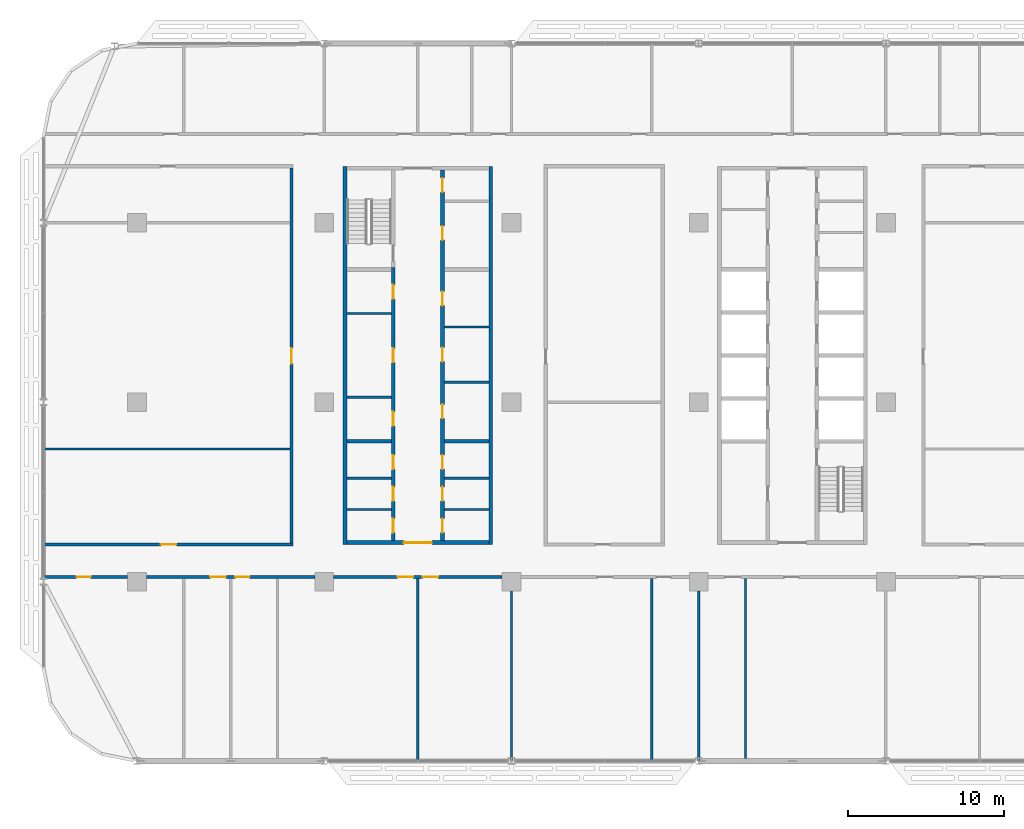
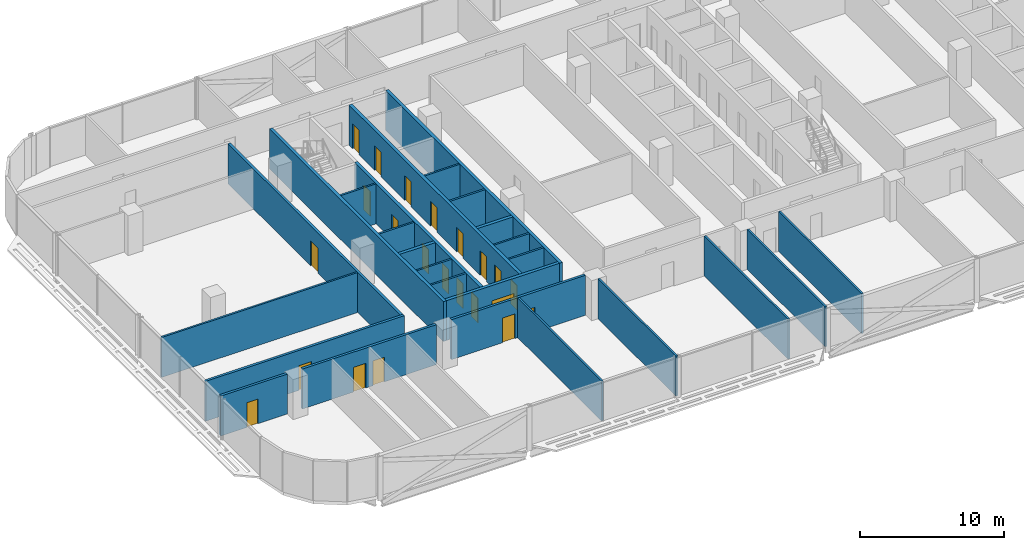
# One storey, part 11 of 28: 26 walls, 22 doors, 22 openings.
"""IFC4 building model written with IfcOpenShell, lengths in metres."""

from ifc_helpers import new_model, si_unit, direction, frame, frame_2d, origin, place, context, subcontext, project, spatial, rectangle, extrude, material, layer, layer_set, type_object, element, fill, save


model = new_model("IFC4")

# Units and contexts
model_context = context("Model", 3, precision=1e-05, world=origin(), true_north=direction((0.0, 1.0)))
body_context = subcontext(model_context, "Body", "Model", "MODEL_VIEW")
ifc_project = project(units=[si_unit("LENGTHUNIT", "METRE"), si_unit("AREAUNIT", "SQUARE_METRE"), si_unit("VOLUMEUNIT", "CUBIC_METRE"), si_unit("PLANEANGLEUNIT", "RADIAN"), si_unit("MASSUNIT", "GRAM", prefix="KILO")], contexts=[model_context])

# Site, building, storey
site_placement = place(None, origin())
site = spatial("IfcSite", under=ifc_project, at=site_placement, CompositionType="ELEMENT")
building_placement = place(site_placement, origin())
building = spatial("IfcBuilding", under=site, at=building_placement, Name="Mahtab Terrace Research Tower", CompositionType="ELEMENT")
storey_placement = place(building_placement, frame((0.0, 0.0, 185.800048828125)))
storey = spatial("IfcBuildingStorey", under=building, at=storey_placement, Name="L44", CompositionType="ELEMENT", Elevation=185.800048828125)

# Walls
ifc_material_1 = material(Name="Gypsum board partition")
ifc_layer_1 = layer(ifc_material_1, 0.14990234375)
ifc_layer_set_1 = layer_set([ifc_layer_1], Name="Core partition 150")
wall_type_1 = type_object("IfcWallType", Name="Core partition 150", PredefinedType="PARTITIONING", material=ifc_layer_set_1)
for number, where, z_axis, x_axis, name in (
    (1, (-28.550048828125, 0.3125, 0.0), (0.0, 0.0, 1.0), (1.0, 0.0, 0.0), "Core wall A pWL-269"),
    (2, (-28.550048828125, 5.6875, 0.0), (0.0, 0.0, 1.0), (1.0, 0.0, 0.0), "Core wall A pWL269"),
    (3, (-22.300048828125, 1.280029296875, 0.0), (0.0, 0.0, 1.0), (1.0, 0.0, 0.0), "Core wall A pEL-172"),
    (4, (-22.300048828125, 4.827392578125, 0.0), (0.0, 0.0, 1.0), (1.0, 0.0, 0.0), "Core wall A pEL183"),
    (5, (-28.550048828125, -6.875, 0.0), (0.0, 0.0, 1.0), (1.0, 0.0, 0.0), "Core wall A pWS-988"),
    (6, (-28.550048828125, -4.875, 0.0), (0.0, 0.0, 1.0), (1.0, 0.0, 0.0), "Core wall A pWS-788"),
    (7, (-22.300048828125, -6.875, 0.0), (0.0, 0.0, 1.0), (1.0, 0.0, 0.0), "Core wall A pES-988"),
    (8, (-22.300048828125, -4.875, 0.0), (0.0, 0.0, 1.0), (1.0, 0.0, 0.0), "Core wall A pES-788"),
):
    element("IfcWall", number, at=place(storey_placement, frame(where, z_axis=z_axis, x_axis=x_axis)), inside=storey, type_object=wall_type_1, Name=name, PredefinedType="PARTITIONING", context=body_context, shape_type="SweptSolid", body=[
        extrude(rectangle(XDim=2.85009765625, YDim=0.14990234375, at=frame_2d((1.425048828125, 0.0))), origin(), (0.0, 0.0, 1.0), 3.39990234375),
    ])
ifc_material_2 = material(Name="Concrete C70/85", Category="concrete")
ifc_layer_2 = layer(ifc_material_2, 0.25)
ifc_layer_set_2 = layer_set([ifc_layer_2], Name="Core wall 250")
wall_type_2 = type_object("IfcWallType", Name="Core wall 250", PredefinedType="SOLIDWALL", material=ifc_layer_set_2)
for number, where, z_axis, x_axis, name in (
    (9, (-28.675048828125, 15.125, 0.0), (0.0, 0.0, 1.0), (0.0, -1.0, 0.0), "Core wall A outerW"),
    (10, (-19.324951171875, -9.125, 0.0), (0.0, 0.0, 1.0), (0.0, 1.0, 0.0), "Core wall A outerE"),
):
    element("IfcWall", number, at=place(storey_placement, frame(where, z_axis=z_axis, x_axis=x_axis)), inside=storey, type_object=wall_type_2, Name=name, PredefinedType="SOLIDWALL", context=body_context, shape_type="SweptSolid", body=[
        extrude(rectangle(XDim=24.25, YDim=0.25, at=frame_2d((12.125, 0.0))), origin(), (0.0, 0.0, 1.0), 3.39990234375),
    ])

# Wall, opening, door
wall_1_placement = place(storey_placement, frame((-19.449951171875, -9.0, 0.0), z_axis=(0.0, 0.0, 1.0), x_axis=(-1.0, 0.0, 0.0)))
wall_1 = element("IfcWall", 11, at=wall_1_placement, inside=storey, type_object=wall_type_2, Name="Core wall A endS", PredefinedType="SOLIDWALL", context=body_context, shape_type="SweptSolid", body=[
    extrude(rectangle(XDim=9.10009765625, YDim=0.25, at=frame_2d((4.550048828125, 0.0))), origin(), (0.0, 0.0, 1.0), 3.39990234375),
])
opening_1_placement = place(wall_1_placement, frame((3.64990234375, 0.0, 0.0)))
opening_1 = element("IfcOpeningElement", 12, at=opening_1_placement, cuts=wall_1, Name="Opening A-S1", PredefinedType="OPENING", context=body_context, shape_type="SweptSolid", body=[
    extrude(rectangle(XDim=1.800048828125, YDim=2.10009765625, at=frame_2d((0.89990234375, 1.050048828125))), frame((0.0, 0.135009765625, 0.0), z_axis=(0.0, -1.0, 0.0), x_axis=(1.0, 0.0, 0.0)), (0.0, 0.0, 1.0), 0.27001953125),
])
ifc_material_3 = material(Name="Steel fire door", Category="steel")
door_type_1 = type_object("IfcDoorType", Name="Lobby double door 1800x2100 1 HR", OperationType="DOUBLE_DOOR_SINGLE_SWING", PredefinedType="DOOR", material=ifc_material_3)
door_1_placement = place(opening_1_placement, origin())
door_1 = element("IfcDoor", 13, at=door_1_placement, inside=storey, type_object=door_type_1, Name="Core entrance door A S", OperationType="DOUBLE_DOOR_SINGLE_SWING", OverallHeight=2.10009765625, OverallWidth=1.800048828125, PredefinedType="DOOR", context=body_context, shape_type="SweptSolid", body=[
    extrude(rectangle(XDim=1.800048828125, YDim=2.10009765625, at=frame_2d((0.89990234375, 1.050048828125))), frame((0.0, 0.02490234375, 0.0), z_axis=(0.0, -1.0, 0.0), x_axis=(1.0, 0.0, 0.0)), (0.0, 0.0, 1.0), 0.050048828125),
])
fill(opening_1, door_1)

# Wall, openings, doors
wall_2_placement = place(storey_placement, frame((-25.574951171875, -8.875, 0.0), z_axis=(0.0, 0.0, 1.0), x_axis=(0.0, 1.0, 0.0)))
wall_2 = element("IfcWall", 14, at=wall_2_placement, inside=storey, type_object=wall_type_2, Name="Core wall A innerWSL", PredefinedType="SOLIDWALL", context=body_context, shape_type="SweptSolid", body=[
    extrude(rectangle(XDim=17.5, YDim=0.25, at=frame_2d((8.75, 0.0))), origin(), (0.0, 0.0, 1.0), 3.39990234375),
])
opening_2_placement = place(wall_2_placement, frame((7.356201171875, 0.0, 0.0)))
opening_2 = element("IfcOpeningElement", 15, at=opening_2_placement, cuts=wall_2, Name="Opening A-R1", PredefinedType="OPENING", context=body_context, shape_type="SweptSolid", body=[
    extrude(rectangle(XDim=0.89990234375, YDim=2.10009765625, at=frame_2d((0.449951171875, 1.050048828125))), frame((0.0, 0.135009765625, 0.0), z_axis=(0.0, -1.0, 0.0), x_axis=(1.0, 0.0, 0.0)), (0.0, 0.0, 1.0), 0.27001953125),
])
opening_3_placement = place(wall_2_placement, frame((11.425048828125, 0.0, 0.0)))
opening_3 = element("IfcOpeningElement", 16, at=opening_3_placement, cuts=wall_2, Name="Opening A-R2", PredefinedType="OPENING", context=body_context, shape_type="SweptSolid", body=[
    extrude(rectangle(XDim=0.89990234375, YDim=2.10009765625, at=frame_2d((0.449951171875, 1.050048828125))), frame((0.0, 0.135009765625, 0.0), z_axis=(0.0, -1.0, 0.0), x_axis=(1.0, 0.0, 0.0)), (0.0, 0.0, 1.0), 0.27001953125),
])
opening_4_placement = place(wall_2_placement, frame((15.493896484375, 0.0, 0.0)))
opening_4 = element("IfcOpeningElement", 17, at=opening_4_placement, cuts=wall_2, Name="Opening A-R3", PredefinedType="OPENING", context=body_context, shape_type="SweptSolid", body=[
    extrude(rectangle(XDim=0.89990234375, YDim=2.10009765625, at=frame_2d((0.449951171875, 1.050048828125))), frame((0.0, 0.135009765625, 0.0), z_axis=(0.0, -1.0, 0.0), x_axis=(1.0, 0.0, 0.0)), (0.0, 0.0, 1.0), 0.27001953125),
])
opening_5_placement = place(wall_2_placement, frame((0.512451171875, 0.0, 0.0)))
opening_5 = element("IfcOpeningElement", 18, at=opening_5_placement, cuts=wall_2, Name="Opening A-R7", PredefinedType="OPENING", context=body_context, shape_type="SweptSolid", body=[
    extrude(rectangle(XDim=0.89990234375, YDim=2.10009765625, at=frame_2d((0.449951171875, 1.050048828125))), frame((0.0, 0.135009765625, 0.0), z_axis=(0.0, -1.0, 0.0), x_axis=(1.0, 0.0, 0.0)), (0.0, 0.0, 1.0), 0.27001953125),
])
opening_6_placement = place(wall_2_placement, frame((2.550048828125, 0.0, 0.0)))
opening_6 = element("IfcOpeningElement", 19, at=opening_6_placement, cuts=wall_2, Name="Opening A-R8", PredefinedType="OPENING", context=body_context, shape_type="SweptSolid", body=[
    extrude(rectangle(XDim=0.89990234375, YDim=2.10009765625, at=frame_2d((0.449951171875, 1.050048828125))), frame((0.0, 0.135009765625, 0.0), z_axis=(0.0, -1.0, 0.0), x_axis=(1.0, 0.0, 0.0)), (0.0, 0.0, 1.0), 0.27001953125),
])
opening_7_placement = place(wall_2_placement, frame((4.58740234375, 0.0, 0.0)))
opening_7 = element("IfcOpeningElement", 20, at=opening_7_placement, cuts=wall_2, Name="Opening A-R9", PredefinedType="OPENING", context=body_context, shape_type="SweptSolid", body=[
    extrude(rectangle(XDim=0.89990234375, YDim=2.10009765625, at=frame_2d((0.449951171875, 1.050048828125))), frame((0.0, 0.135009765625, 0.0), z_axis=(0.0, -1.0, 0.0), x_axis=(1.0, 0.0, 0.0)), (0.0, 0.0, 1.0), 0.27001953125),
])
door_type_2 = type_object("IfcDoorType", Name="Room door 900x2100 1 HR", OperationType="NOTDEFINED", PredefinedType="DOOR", material=ifc_material_3)
door_2_placement = place(opening_2_placement, origin())
door_2 = element("IfcDoor", 21, at=door_2_placement, inside=storey, type_object=door_type_2, Name="Comms room door", OperationType="SINGLE_SWING_LEFT", OverallHeight=2.10009765625, OverallWidth=0.89990234375, PredefinedType="DOOR", context=body_context, shape_type="SweptSolid", body=[
    extrude(rectangle(XDim=0.89990234375, YDim=2.10009765625, at=frame_2d((0.449951171875, 1.050048828125))), frame((0.0, 0.02490234375, 0.0), z_axis=(0.0, -1.0, 0.0), x_axis=(1.0, 0.0, 0.0)), (0.0, 0.0, 1.0), 0.050048828125),
])
fill(opening_2, door_2)
door_3_placement = place(opening_3_placement, origin())
door_3 = element("IfcDoor", 22, at=door_3_placement, inside=storey, type_object=door_type_2, Name="Meeting alcove door", OperationType="SINGLE_SWING_RIGHT", OverallHeight=2.10009765625, OverallWidth=0.89990234375, PredefinedType="DOOR", context=body_context, shape_type="SweptSolid", body=[
    extrude(rectangle(XDim=0.89990234375, YDim=2.10009765625, at=frame_2d((0.449951171875, 1.050048828125))), frame((0.0, 0.02490234375, 0.0), z_axis=(0.0, -1.0, 0.0), x_axis=(1.0, 0.0, 0.0)), (0.0, 0.0, 1.0), 0.050048828125),
])
fill(opening_3, door_3)
door_4_placement = place(opening_4_placement, origin())
door_4 = element("IfcDoor", 23, at=door_4_placement, inside=storey, type_object=door_type_2, Name="Linen store door", OperationType="SINGLE_SWING_LEFT", OverallHeight=2.10009765625, OverallWidth=0.89990234375, PredefinedType="DOOR", context=body_context, shape_type="SweptSolid", body=[
    extrude(rectangle(XDim=0.89990234375, YDim=2.10009765625, at=frame_2d((0.449951171875, 1.050048828125))), frame((0.0, 0.02490234375, 0.0), z_axis=(0.0, -1.0, 0.0), x_axis=(1.0, 0.0, 0.0)), (0.0, 0.0, 1.0), 0.050048828125),
])
fill(opening_4, door_4)
door_5_placement = place(opening_5_placement, origin())
door_5 = element("IfcDoor", 24, at=door_5_placement, inside=storey, type_object=door_type_2, Name="Male WC door", OperationType="SINGLE_SWING_LEFT", OverallHeight=2.10009765625, OverallWidth=0.89990234375, PredefinedType="DOOR", context=body_context, shape_type="SweptSolid", body=[
    extrude(rectangle(XDim=0.89990234375, YDim=2.10009765625, at=frame_2d((0.449951171875, 1.050048828125))), frame((0.0, 0.02490234375, 0.0), z_axis=(0.0, -1.0, 0.0), x_axis=(1.0, 0.0, 0.0)), (0.0, 0.0, 1.0), 0.050048828125),
])
fill(opening_5, door_5)
door_6_placement = place(opening_6_placement, origin())
door_6 = element("IfcDoor", 25, at=door_6_placement, inside=storey, type_object=door_type_2, Name="Female WC door", OperationType="SINGLE_SWING_RIGHT", OverallHeight=2.10009765625, OverallWidth=0.89990234375, PredefinedType="DOOR", context=body_context, shape_type="SweptSolid", body=[
    extrude(rectangle(XDim=0.89990234375, YDim=2.10009765625, at=frame_2d((0.449951171875, 1.050048828125))), frame((0.0, 0.02490234375, 0.0), z_axis=(0.0, -1.0, 0.0), x_axis=(1.0, 0.0, 0.0)), (0.0, 0.0, 1.0), 0.050048828125),
])
fill(opening_6, door_6)
door_7_placement = place(opening_7_placement, origin())
door_7 = element("IfcDoor", 26, at=door_7_placement, inside=storey, type_object=door_type_2, Name="Accessible WC door", OperationType="SINGLE_SWING_LEFT", OverallHeight=2.10009765625, OverallWidth=0.89990234375, PredefinedType="DOOR", context=body_context, shape_type="SweptSolid", body=[
    extrude(rectangle(XDim=0.89990234375, YDim=2.10009765625, at=frame_2d((0.449951171875, 1.050048828125))), frame((0.0, 0.02490234375, 0.0), z_axis=(0.0, -1.0, 0.0), x_axis=(1.0, 0.0, 0.0)), (0.0, 0.0, 1.0), 0.050048828125),
])
fill(opening_7, door_7)

wall_3_placement = place(storey_placement, frame((-22.425048828125, 14.875, 0.0), z_axis=(0.0, 0.0, 1.0), x_axis=(0.0, -1.0, 0.0)))
wall_3 = element("IfcWall", 27, at=wall_3_placement, inside=storey, type_object=wall_type_2, Name="Core wall A innerESLN", PredefinedType="SOLIDWALL", context=body_context, shape_type="SweptSolid", body=[
    extrude(rectangle(XDim=23.75, YDim=0.25, at=frame_2d((11.875, 0.0))), origin(), (0.0, 0.0, 1.0), 3.39990234375),
])
opening_8_placement = place(wall_3_placement, frame((15.010009765625, 0.0, 0.0)))
opening_8 = element("IfcOpeningElement", 28, at=opening_8_placement, cuts=wall_3, Name="Opening A-R4", PredefinedType="OPENING", context=body_context, shape_type="SweptSolid", body=[
    extrude(rectangle(XDim=0.89990234375, YDim=2.10009765625, at=frame_2d((0.449951171875, 1.050048828125))), frame((0.0, 0.135009765625, 0.0), z_axis=(0.0, -1.0, 0.0), x_axis=(1.0, 0.0, 0.0)), (0.0, 0.0, 1.0), 0.27001953125),
])
opening_9_placement = place(wall_3_placement, frame((11.37109375, 0.0, 0.0)))
opening_9 = element("IfcOpeningElement", 29, at=opening_9_placement, cuts=wall_3, Name="Opening A-R5", PredefinedType="OPENING", context=body_context, shape_type="SweptSolid", body=[
    extrude(rectangle(XDim=0.89990234375, YDim=2.10009765625, at=frame_2d((0.449951171875, 1.050048828125))), frame((0.0, 0.135009765625, 0.0), z_axis=(0.0, -1.0, 0.0), x_axis=(1.0, 0.0, 0.0)), (0.0, 0.0, 1.0), 0.27001953125),
])
opening_10_placement = place(wall_3_placement, frame((7.7861328125, 0.0, 0.0)))
opening_10 = element("IfcOpeningElement", 30, at=opening_10_placement, cuts=wall_3, Name="Opening A-R6", PredefinedType="OPENING", context=body_context, shape_type="SweptSolid", body=[
    extrude(rectangle(XDim=0.89990234375, YDim=2.10009765625, at=frame_2d((0.449951171875, 1.050048828125))), frame((0.0, 0.135009765625, 0.0), z_axis=(0.0, -1.0, 0.0), x_axis=(1.0, 0.0, 0.0)), (0.0, 0.0, 1.0), 0.27001953125),
])
opening_11_placement = place(wall_3_placement, frame((22.33740234375, 0.0, 0.0)))
opening_11 = element("IfcOpeningElement", 31, at=opening_11_placement, cuts=wall_3, Name="Opening A-R10", PredefinedType="OPENING", context=body_context, shape_type="SweptSolid", body=[
    extrude(rectangle(XDim=0.89990234375, YDim=2.10009765625, at=frame_2d((0.449951171875, 1.050048828125))), frame((0.0, 0.135009765625, 0.0), z_axis=(0.0, -1.0, 0.0), x_axis=(1.0, 0.0, 0.0)), (0.0, 0.0, 1.0), 0.27001953125),
])
opening_12_placement = place(wall_3_placement, frame((20.300048828125, 0.0, 0.0)))
opening_12 = element("IfcOpeningElement", 32, at=opening_12_placement, cuts=wall_3, Name="Opening A-R11", PredefinedType="OPENING", context=body_context, shape_type="SweptSolid", body=[
    extrude(rectangle(XDim=0.89990234375, YDim=2.10009765625, at=frame_2d((0.449951171875, 1.050048828125))), frame((0.0, 0.135009765625, 0.0), z_axis=(0.0, -1.0, 0.0), x_axis=(1.0, 0.0, 0.0)), (0.0, 0.0, 1.0), 0.27001953125),
])
opening_13_placement = place(wall_3_placement, frame((18.262451171875, 0.0, 0.0)))
opening_13 = element("IfcOpeningElement", 33, at=opening_13_placement, cuts=wall_3, Name="Opening A-R12", PredefinedType="OPENING", context=body_context, shape_type="SweptSolid", body=[
    extrude(rectangle(XDim=0.89990234375, YDim=2.10009765625, at=frame_2d((0.449951171875, 1.050048828125))), frame((0.0, 0.135009765625, 0.0), z_axis=(0.0, -1.0, 0.0), x_axis=(1.0, 0.0, 0.0)), (0.0, 0.0, 1.0), 0.27001953125),
])
opening_14_placement = place(wall_3_placement, frame((3.58740234375, 0.0, 0.0)))
opening_14 = element("IfcOpeningElement", 34, at=opening_14_placement, cuts=wall_3, Name="Opening A-R13", PredefinedType="OPENING", context=body_context, shape_type="SweptSolid", body=[
    extrude(rectangle(XDim=0.89990234375, YDim=2.10009765625, at=frame_2d((0.449951171875, 1.050048828125))), frame((0.0, 0.135009765625, 0.0), z_axis=(0.0, -1.0, 0.0), x_axis=(1.0, 0.0, 0.0)), (0.0, 0.0, 1.0), 0.27001953125),
])
opening_15_placement = place(wall_3_placement, frame((0.512451171875, 0.0, 0.0)))
opening_15 = element("IfcOpeningElement", 35, at=opening_15_placement, cuts=wall_3, Name="Opening A-R14", PredefinedType="OPENING", context=body_context, shape_type="SweptSolid", body=[
    extrude(rectangle(XDim=0.89990234375, YDim=2.10009765625, at=frame_2d((0.449951171875, 1.050048828125))), frame((0.0, 0.135009765625, 0.0), z_axis=(0.0, -1.0, 0.0), x_axis=(1.0, 0.0, 0.0)), (0.0, 0.0, 1.0), 0.27001953125),
])
door_8_placement = place(opening_8_placement, origin())
door_8 = element("IfcDoor", 36, at=door_8_placement, inside=storey, type_object=door_type_2, Name="Battery room door", OperationType="SINGLE_SWING_RIGHT", OverallHeight=2.10009765625, OverallWidth=0.89990234375, PredefinedType="DOOR", context=body_context, shape_type="SweptSolid", body=[
    extrude(rectangle(XDim=0.89990234375, YDim=2.10009765625, at=frame_2d((0.449951171875, 1.050048828125))), frame((0.0, 0.02490234375, 0.0), z_axis=(0.0, -1.0, 0.0), x_axis=(1.0, 0.0, 0.0)), (0.0, 0.0, 1.0), 0.050048828125),
])
fill(opening_8, door_8)
door_9_placement = place(opening_9_placement, origin())
door_9 = element("IfcDoor", 37, at=door_9_placement, inside=storey, type_object=door_type_2, Name="Cooling plant room door", OperationType="SINGLE_SWING_LEFT", OverallHeight=2.10009765625, OverallWidth=0.89990234375, PredefinedType="DOOR", context=body_context, shape_type="SweptSolid", body=[
    extrude(rectangle(XDim=0.89990234375, YDim=2.10009765625, at=frame_2d((0.449951171875, 1.050048828125))), frame((0.0, 0.02490234375, 0.0), z_axis=(0.0, -1.0, 0.0), x_axis=(1.0, 0.0, 0.0)), (0.0, 0.0, 1.0), 0.050048828125),
])
fill(opening_9, door_9)
door_10_placement = place(opening_10_placement, origin())
door_10 = element("IfcDoor", 38, at=door_10_placement, inside=storey, type_object=door_type_2, Name="Spare parts store door", OperationType="SINGLE_SWING_RIGHT", OverallHeight=2.10009765625, OverallWidth=0.89990234375, PredefinedType="DOOR", context=body_context, shape_type="SweptSolid", body=[
    extrude(rectangle(XDim=0.89990234375, YDim=2.10009765625, at=frame_2d((0.449951171875, 1.050048828125))), frame((0.0, 0.02490234375, 0.0), z_axis=(0.0, -1.0, 0.0), x_axis=(1.0, 0.0, 0.0)), (0.0, 0.0, 1.0), 0.050048828125),
])
fill(opening_10, door_10)
door_11_placement = place(opening_11_placement, origin())
door_11 = element("IfcDoor", 39, at=door_11_placement, inside=storey, type_object=door_type_2, Name="Comms riser room door", OperationType="SINGLE_SWING_RIGHT", OverallHeight=2.10009765625, OverallWidth=0.89990234375, PredefinedType="DOOR", context=body_context, shape_type="SweptSolid", body=[
    extrude(rectangle(XDim=0.89990234375, YDim=2.10009765625, at=frame_2d((0.449951171875, 1.050048828125))), frame((0.0, 0.02490234375, 0.0), z_axis=(0.0, -1.0, 0.0), x_axis=(1.0, 0.0, 0.0)), (0.0, 0.0, 1.0), 0.050048828125),
])
fill(opening_11, door_11)
door_12_placement = place(opening_12_placement, origin())
door_12 = element("IfcDoor", 40, at=door_12_placement, inside=storey, type_object=door_type_2, Name="Pantry door", OperationType="SINGLE_SWING_LEFT", OverallHeight=2.10009765625, OverallWidth=0.89990234375, PredefinedType="DOOR", context=body_context, shape_type="SweptSolid", body=[
    extrude(rectangle(XDim=0.89990234375, YDim=2.10009765625, at=frame_2d((0.449951171875, 1.050048828125))), frame((0.0, 0.02490234375, 0.0), z_axis=(0.0, -1.0, 0.0), x_axis=(1.0, 0.0, 0.0)), (0.0, 0.0, 1.0), 0.050048828125),
])
fill(opening_12, door_12)
door_13_placement = place(opening_13_placement, origin())
door_13 = element("IfcDoor", 41, at=door_13_placement, inside=storey, type_object=door_type_2, Name="Cleaners store door", OperationType="SINGLE_SWING_RIGHT", OverallHeight=2.10009765625, OverallWidth=0.89990234375, PredefinedType="DOOR", context=body_context, shape_type="SweptSolid", body=[
    extrude(rectangle(XDim=0.89990234375, YDim=2.10009765625, at=frame_2d((0.449951171875, 1.050048828125))), frame((0.0, 0.02490234375, 0.0), z_axis=(0.0, -1.0, 0.0), x_axis=(1.0, 0.0, 0.0)), (0.0, 0.0, 1.0), 0.050048828125),
])
fill(opening_13, door_13)
door_14_placement = place(opening_14_placement, origin())
door_14 = element("IfcDoor", 42, at=door_14_placement, inside=storey, type_object=door_type_2, Name="IT equipment room door", OperationType="SINGLE_SWING_LEFT", OverallHeight=2.10009765625, OverallWidth=0.89990234375, PredefinedType="DOOR", context=body_context, shape_type="SweptSolid", body=[
    extrude(rectangle(XDim=0.89990234375, YDim=2.10009765625, at=frame_2d((0.449951171875, 1.050048828125))), frame((0.0, 0.02490234375, 0.0), z_axis=(0.0, -1.0, 0.0), x_axis=(1.0, 0.0, 0.0)), (0.0, 0.0, 1.0), 0.050048828125),
])
fill(opening_14, door_14)
door_15_placement = place(opening_15_placement, origin())
door_15 = element("IfcDoor", 43, at=door_15_placement, inside=storey, type_object=door_type_2, Name="Electrical riser room door", OperationType="SINGLE_SWING_RIGHT", OverallHeight=2.10009765625, OverallWidth=0.89990234375, PredefinedType="DOOR", context=body_context, shape_type="SweptSolid", body=[
    extrude(rectangle(XDim=0.89990234375, YDim=2.10009765625, at=frame_2d((0.449951171875, 1.050048828125))), frame((0.0, 0.02490234375, 0.0), z_axis=(0.0, -1.0, 0.0), x_axis=(1.0, 0.0, 0.0)), (0.0, 0.0, 1.0), 0.050048828125),
])
fill(opening_15, door_15)

# Walls
for number, where, z_axis, x_axis, name in (
    (44, (-28.550048828125, -2.5, 0.0), (0.0, 0.0, 1.0), (1.0, 0.0, 0.0), "Core wall A divW0"),
    (45, (-22.300048828125, -2.5, 0.0), (0.0, 0.0, 1.0), (1.0, 0.0, 0.0), "Core wall A divE0"),
):
    element("IfcWall", number, at=place(storey_placement, frame(where, z_axis=z_axis, x_axis=x_axis)), inside=storey, type_object=wall_type_2, Name=name, PredefinedType="SOLIDWALL", context=body_context, shape_type="SweptSolid", body=[
        extrude(rectangle(XDim=2.85009765625, YDim=0.25, at=frame_2d((1.425048828125, 0.0))), origin(), (0.0, 0.0, 1.0), 3.39990234375),
    ])

# Wall, opening, door
ifc_material_4 = material(Name="Gypsum board corridor wall on steel studs", Category="steel")
ifc_layer_3 = layer(ifc_material_4, 0.199951171875)
ifc_layer_set_3 = layer_set([ifc_layer_3], Name="WALL CORRIDOR 200")
wall_type_3 = type_object("IfcWallType", Name="WALL CORRIDOR 200", PredefinedType="PARTITIONING", material=ifc_layer_set_3)
wall_4_placement = place(storey_placement, frame((-47.97509765625, -11.199951171875, 0.0), z_axis=(0.0, 0.0, 1.0), x_axis=(1.0, 0.0, 0.0)))
wall_4 = element("IfcWall", 46, at=wall_4_placement, inside=storey, type_object=wall_type_3, Name="L44-W001", PredefinedType="PARTITIONING", context=body_context, shape_type="SweptSolid", body=[
    extrude(rectangle(XDim=5.375, YDim=0.199951171875, at=frame_2d((2.6875, 0.0))), origin(), (0.0, 0.0, 1.0), 3.39990234375),
])
opening_16_placement = place(wall_4_placement, frame((2.10009765625, 0.0, 0.0)))
opening_16 = element("IfcOpeningElement", 47, at=opening_16_placement, cuts=wall_4, Name="Opening L44-101", PredefinedType="OPENING", context=body_context, shape_type="SweptSolid", body=[
    extrude(rectangle(XDim=0.89990234375, YDim=2.10009765625, at=frame_2d((0.449951171875, 1.050048828125))), frame((0.0, 0.10986328125, 0.0), z_axis=(0.0, -1.0, 0.0), x_axis=(1.0, 0.0, 0.0)), (0.0, 0.0, 1.0), 0.219970703125),
])
ifc_material_5 = material(Name="Timber door leaf in steel frame", Category="steel")
door_type_3 = type_object("IfcDoorType", Name="DOOR 0900X2100 FD30S", OperationType="SINGLE_SWING_LEFT", PredefinedType="DOOR", material=ifc_material_5)
door_16_placement = place(opening_16_placement, origin())
door_16 = element("IfcDoor", 48, at=door_16_placement, inside=storey, type_object=door_type_3, Name="Door L44-101", OperationType="SINGLE_SWING_RIGHT", OverallHeight=2.10009765625, OverallWidth=0.89990234375, PredefinedType="DOOR", context=body_context, shape_type="SweptSolid", body=[
    extrude(rectangle(XDim=0.89990234375, YDim=2.10009765625, at=frame_2d((0.449951171875, 1.050048828125))), frame((0.0, 0.02490234375, 0.0), z_axis=(0.0, -1.0, 0.0), x_axis=(1.0, 0.0, 0.0)), (0.0, 0.0, 1.0), 0.050048828125),
])
fill(opening_16, door_16)

# Wall, openings, doors
wall_5_placement = place(storey_placement, frame((-41.39990234375, -11.199951171875, 0.0), z_axis=(0.0, 0.0, 1.0), x_axis=(1.0, 0.0, 0.0)))
wall_5 = element("IfcWall", 49, at=wall_5_placement, inside=storey, type_object=wall_type_3, Name="L44-W002", PredefinedType="PARTITIONING", context=body_context, shape_type="SweptSolid", body=[
    extrude(rectangle(XDim=10.7998046875, YDim=0.199951171875, at=frame_2d((5.39990234375, 0.0))), origin(), (0.0, 0.0, 1.0), 3.39990234375),
])
opening_17_placement = place(wall_5_placement, frame((4.10009765625, 0.0, 0.0)))
opening_17 = element("IfcOpeningElement", 50, at=opening_17_placement, cuts=wall_5, Name="Opening L44-102", PredefinedType="OPENING", context=body_context, shape_type="SweptSolid", body=[
    extrude(rectangle(XDim=1.0, YDim=2.10009765625, at=frame_2d((0.5, 1.050048828125))), frame((0.0, 0.10986328125, 0.0), z_axis=(0.0, -1.0, 0.0), x_axis=(1.0, 0.0, 0.0)), (0.0, 0.0, 1.0), 0.219970703125),
])
opening_18_placement = place(wall_5_placement, frame((5.699951171875, 0.0, 0.0)))
opening_18 = element("IfcOpeningElement", 51, at=opening_18_placement, cuts=wall_5, Name="Opening L44-103", PredefinedType="OPENING", context=body_context, shape_type="SweptSolid", body=[
    extrude(rectangle(XDim=0.89990234375, YDim=2.10009765625, at=frame_2d((0.449951171875, 1.050048828125))), frame((0.0, 0.10986328125, 0.0), z_axis=(0.0, -1.0, 0.0), x_axis=(1.0, 0.0, 0.0)), (0.0, 0.0, 1.0), 0.219970703125),
])
door_17_placement = place(opening_18_placement, origin())
door_17 = element("IfcDoor", 52, at=door_17_placement, inside=storey, type_object=door_type_3, Name="Door L44-103", OperationType="SINGLE_SWING_LEFT", OverallHeight=2.10009765625, OverallWidth=0.89990234375, PredefinedType="DOOR", context=body_context, shape_type="SweptSolid", body=[
    extrude(rectangle(XDim=0.89990234375, YDim=2.10009765625, at=frame_2d((0.449951171875, 1.050048828125))), frame((0.0, 0.02490234375, 0.0), z_axis=(0.0, -1.0, 0.0), x_axis=(1.0, 0.0, 0.0)), (0.0, 0.0, 1.0), 0.050048828125),
])
fill(opening_18, door_17)
door_type_4 = type_object("IfcDoorType", Name="DOOR 1000X2100 FD30S", OperationType="SINGLE_SWING_LEFT", PredefinedType="DOOR", material=ifc_material_5)
door_18_placement = place(opening_17_placement, origin())
door_18 = element("IfcDoor", 53, at=door_18_placement, inside=storey, type_object=door_type_4, Name="Door L44-102", OperationType="SINGLE_SWING_RIGHT", OverallHeight=2.10009765625, OverallWidth=1.0, PredefinedType="DOOR", context=body_context, shape_type="SweptSolid", body=[
    extrude(rectangle(XDim=1.0, YDim=2.10009765625, at=frame_2d((0.5, 1.050048828125))), frame((0.0, 0.02490234375, 0.0), z_axis=(0.0, -1.0, 0.0), x_axis=(1.0, 0.0, 0.0)), (0.0, 0.0, 1.0), 0.050048828125),
])
fill(opening_17, door_18)

wall_6_placement = place(storey_placement, frame((-29.39990234375, -11.199951171875, 0.0), z_axis=(0.0, 0.0, 1.0), x_axis=(1.0, 0.0, 0.0)))
wall_6 = element("IfcWall", 54, at=wall_6_placement, inside=storey, type_object=wall_type_3, Name="L44-W003", PredefinedType="PARTITIONING", context=body_context, shape_type="SweptSolid", body=[
    extrude(rectangle(XDim=10.7998046875, YDim=0.199951171875, at=frame_2d((5.39990234375, 0.0))), origin(), (0.0, 0.0, 1.0), 3.39990234375),
])
opening_19_placement = place(wall_6_placement, frame((4.10009765625, 0.0, 0.0)))
opening_19 = element("IfcOpeningElement", 55, at=opening_19_placement, cuts=wall_6, Name="Opening L44-104", PredefinedType="OPENING", context=body_context, shape_type="SweptSolid", body=[
    extrude(rectangle(XDim=1.0, YDim=2.10009765625, at=frame_2d((0.5, 1.050048828125))), frame((0.0, 0.10986328125, 0.0), z_axis=(0.0, -1.0, 0.0), x_axis=(1.0, 0.0, 0.0)), (0.0, 0.0, 1.0), 0.219970703125),
])
opening_20_placement = place(wall_6_placement, frame((5.699951171875, 0.0, 0.0)))
opening_20 = element("IfcOpeningElement", 56, at=opening_20_placement, cuts=wall_6, Name="Opening L44-105", PredefinedType="OPENING", context=body_context, shape_type="SweptSolid", body=[
    extrude(rectangle(XDim=1.0, YDim=2.10009765625, at=frame_2d((0.5, 1.050048828125))), frame((0.0, 0.10986328125, 0.0), z_axis=(0.0, -1.0, 0.0), x_axis=(1.0, 0.0, 0.0)), (0.0, 0.0, 1.0), 0.219970703125),
])
door_19_placement = place(opening_19_placement, origin())
door_19 = element("IfcDoor", 57, at=door_19_placement, inside=storey, type_object=door_type_4, Name="Door L44-104", OperationType="SINGLE_SWING_RIGHT", OverallHeight=2.10009765625, OverallWidth=1.0, PredefinedType="DOOR", context=body_context, shape_type="SweptSolid", body=[
    extrude(rectangle(XDim=1.0, YDim=2.10009765625, at=frame_2d((0.5, 1.050048828125))), frame((0.0, 0.02490234375, 0.0), z_axis=(0.0, -1.0, 0.0), x_axis=(1.0, 0.0, 0.0)), (0.0, 0.0, 1.0), 0.050048828125),
])
fill(opening_19, door_19)
door_20_placement = place(opening_20_placement, origin())
door_20 = element("IfcDoor", 58, at=door_20_placement, inside=storey, type_object=door_type_4, Name="Door L44-105", OperationType="SINGLE_SWING_LEFT", OverallHeight=2.10009765625, OverallWidth=1.0, PredefinedType="DOOR", context=body_context, shape_type="SweptSolid", body=[
    extrude(rectangle(XDim=1.0, YDim=2.10009765625, at=frame_2d((0.5, 1.050048828125))), frame((0.0, 0.02490234375, 0.0), z_axis=(0.0, -1.0, 0.0), x_axis=(1.0, 0.0, 0.0)), (0.0, 0.0, 1.0), 0.050048828125),
])
fill(opening_20, door_20)

# Wall, opening, door
wall_7_placement = place(storey_placement, frame((-47.97509765625, -9.125, 0.0), z_axis=(0.0, 0.0, 1.0), x_axis=(1.0, 0.0, 0.0)))
wall_7 = element("IfcWall", 59, at=wall_7_placement, inside=storey, type_object=wall_type_3, Name="L44-W010", PredefinedType="PARTITIONING", context=body_context, shape_type="SweptSolid", body=[
    extrude(rectangle(XDim=15.97509765625, YDim=0.199951171875, at=frame_2d((7.987548828125, 0.0))), origin(), (0.0, 0.0, 1.0), 3.39990234375),
])
opening_21_placement = place(wall_7_placement, frame((7.5, 0.0, 0.0)))
opening_21 = element("IfcOpeningElement", 60, at=opening_21_placement, cuts=wall_7, Name="Opening L44-117", PredefinedType="OPENING", context=body_context, shape_type="SweptSolid", body=[
    extrude(rectangle(XDim=1.0, YDim=2.10009765625, at=frame_2d((0.5, 1.050048828125))), frame((0.0, 0.10986328125, 0.0), z_axis=(0.0, -1.0, 0.0), x_axis=(1.0, 0.0, 0.0)), (0.0, 0.0, 1.0), 0.219970703125),
])
door_21_placement = place(opening_21_placement, origin())
door_21 = element("IfcDoor", 61, at=door_21_placement, inside=storey, type_object=door_type_4, Name="Door L44-117", OperationType="SINGLE_SWING_RIGHT", OverallHeight=2.10009765625, OverallWidth=1.0, PredefinedType="DOOR", context=body_context, shape_type="SweptSolid", body=[
    extrude(rectangle(XDim=1.0, YDim=2.10009765625, at=frame_2d((0.5, 1.050048828125))), frame((0.0, 0.02490234375, 0.0), z_axis=(0.0, -1.0, 0.0), x_axis=(1.0, 0.0, 0.0)), (0.0, 0.0, 1.0), 0.050048828125),
])
fill(opening_21, door_21)

wall_8_placement = place(storey_placement, frame((-32.10009765625, -9.02490234375, 0.0), z_axis=(0.0, 0.0, 1.0), x_axis=(0.0, 1.0, 0.0)))
wall_8 = element("IfcWall", 62, at=wall_8_placement, inside=storey, type_object=wall_type_3, Name="L44-W031", PredefinedType="PARTITIONING", context=body_context, shape_type="SweptSolid", body=[
    extrude(rectangle(XDim=24.0498046875, YDim=0.199951171875, at=frame_2d((12.02490234375, 0.0))), origin(), (0.0, 0.0, 1.0), 3.39990234375),
])
opening_22_placement = place(wall_8_placement, frame((11.5, 0.0, 0.0)))
opening_22 = element("IfcOpeningElement", 63, at=opening_22_placement, cuts=wall_8, Name="Opening L44-122", PredefinedType="OPENING", context=body_context, shape_type="SweptSolid", body=[
    extrude(rectangle(XDim=1.0, YDim=2.10009765625, at=frame_2d((0.5, 1.050048828125))), frame((0.0, 0.10986328125, 0.0), z_axis=(0.0, -1.0, 0.0), x_axis=(1.0, 0.0, 0.0)), (0.0, 0.0, 1.0), 0.219970703125),
])
door_22_placement = place(opening_22_placement, origin())
door_22 = element("IfcDoor", 64, at=door_22_placement, inside=storey, type_object=door_type_4, Name="Door L44-122", OperationType="SINGLE_SWING_LEFT", OverallHeight=2.10009765625, OverallWidth=1.0, PredefinedType="DOOR", context=body_context, shape_type="SweptSolid", body=[
    extrude(rectangle(XDim=1.0, YDim=2.10009765625, at=frame_2d((0.5, 1.050048828125))), frame((0.0, 0.02490234375, 0.0), z_axis=(0.0, -1.0, 0.0), x_axis=(1.0, 0.0, 0.0)), (0.0, 0.0, 1.0), 0.050048828125),
])
fill(opening_22, door_22)

# Walls
ifc_material_6 = material(Name="Gypsum board partition on steel studs", Category="steel")
ifc_layer_4 = layer(ifc_material_6, 0.14990234375)
ifc_layer_set_4 = layer_set([ifc_layer_4], Name="WALL PARTITION 150")
wall_type_4 = type_object("IfcWallType", Name="WALL PARTITION 150", PredefinedType="PARTITIONING", material=ifc_layer_set_4)
wall_9_placement = place(storey_placement, frame((-47.97509765625, -3.0, 0.0), z_axis=(0.0, 0.0, 1.0), x_axis=(1.0, 0.0, 0.0)))
element("IfcWall", 65, at=wall_9_placement, inside=storey, type_object=wall_type_4, Name="L44-W014", PredefinedType="PARTITIONING", context=body_context, shape_type="SweptSolid", body=[
    extrude(rectangle(XDim=15.775146484375, YDim=0.14990234375, at=frame_2d((7.8876953125, 0.0))), origin(), (0.0, 0.0, 1.0), 3.39990234375),
])
wall_10_placement = place(storey_placement, frame((-24.0, -22.97509765625, 0.0), z_axis=(0.0, 0.0, 1.0), x_axis=(0.0, 1.0, 0.0)))
element("IfcWall", 66, at=wall_10_placement, inside=storey, type_object=wall_type_4, Name="L44-W033", PredefinedType="PARTITIONING", context=body_context, shape_type="SweptSolid", body=[
    extrude(rectangle(XDim=11.675048828125, YDim=0.14990234375, at=frame_2d((5.83740234375, 0.0))), origin(), (0.0, 0.0, 1.0), 3.39990234375),
])
wall_11_placement = place(storey_placement, frame((-18.0, -22.97509765625, 0.0), z_axis=(0.0, 0.0, 1.0), x_axis=(0.0, 1.0, 0.0)))
element("IfcWall", 67, at=wall_11_placement, inside=storey, type_object=wall_type_4, Name="L44-W036", PredefinedType="PARTITIONING", context=body_context, shape_type="SweptSolid", body=[
    extrude(rectangle(XDim=10.875, YDim=0.14990234375, at=frame_2d((5.4375, 0.0))), origin(), (0.0, 0.0, 1.0), 3.39990234375),
])
wall_12_placement = place(storey_placement, frame((-9.0, -22.97509765625, 0.0), z_axis=(0.0, 0.0, 1.0), x_axis=(0.0, 1.0, 0.0)))
element("IfcWall", 68, at=wall_12_placement, inside=storey, type_object=wall_type_4, Name="L44-W039", PredefinedType="PARTITIONING", context=body_context, shape_type="SweptSolid", body=[
    extrude(rectangle(XDim=11.675048828125, YDim=0.14990234375, at=frame_2d((5.83740234375, 0.0))), origin(), (0.0, 0.0, 1.0), 3.39990234375),
])
wall_13_placement = place(storey_placement, frame((-6.0, -22.97509765625, 0.0), z_axis=(0.0, 0.0, 1.0), x_axis=(0.0, 1.0, 0.0)))
element("IfcWall", 69, at=wall_13_placement, inside=storey, type_object=wall_type_4, Name="L44-W042", PredefinedType="PARTITIONING", context=body_context, shape_type="SweptSolid", body=[
    extrude(rectangle(XDim=10.875, YDim=0.14990234375, at=frame_2d((5.4375, 0.0))), origin(), (0.0, 0.0, 1.0), 3.39990234375),
])
wall_14_placement = place(storey_placement, frame((-3.0, -22.85009765625, 0.0), z_axis=(0.0, 0.0, 1.0), x_axis=(0.0, 1.0, 0.0)))
element("IfcWall", 70, at=wall_14_placement, inside=storey, type_object=wall_type_4, Name="L44-W043", PredefinedType="PARTITIONING", context=body_context, shape_type="SweptSolid", body=[
    extrude(rectangle(XDim=11.550048828125, YDim=0.14990234375, at=frame_2d((5.77490234375, 0.0))), origin(), (0.0, 0.0, 1.0), 3.39990234375),
])

save(model, "model.ifc")
